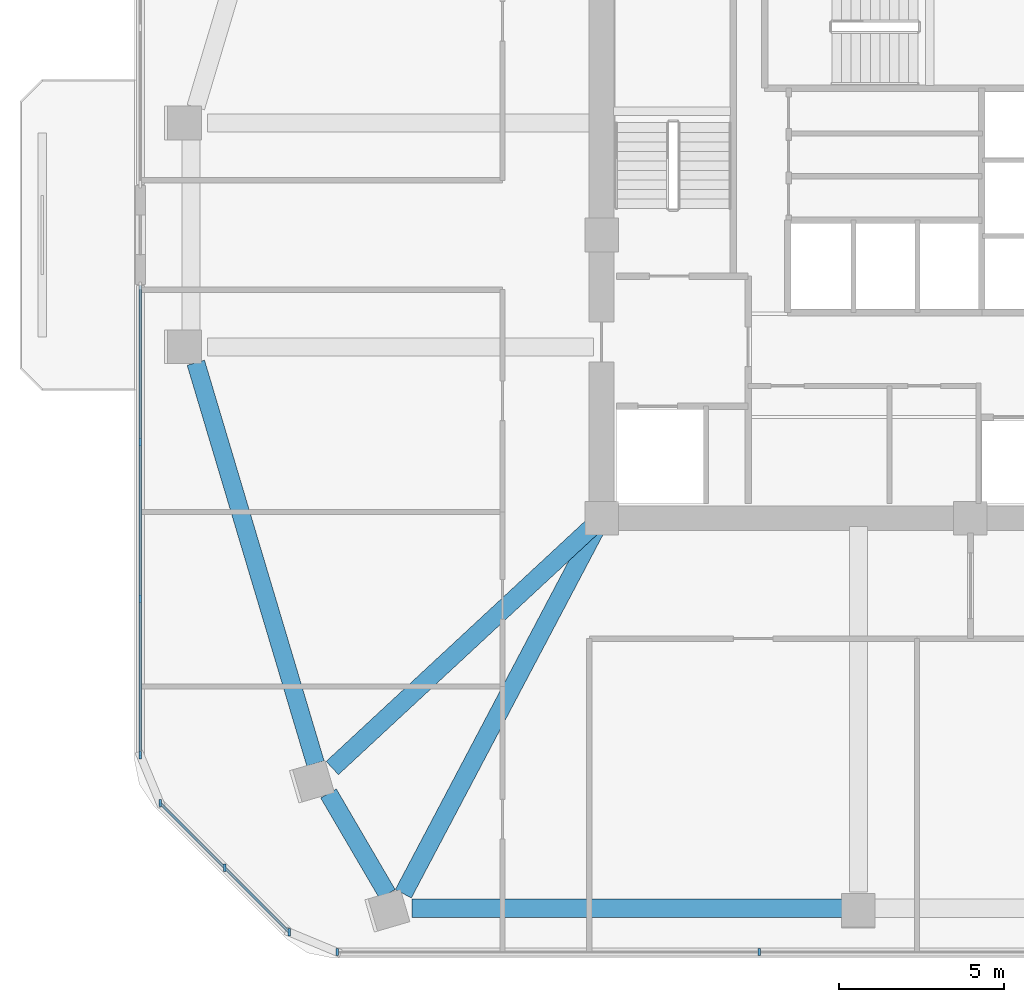
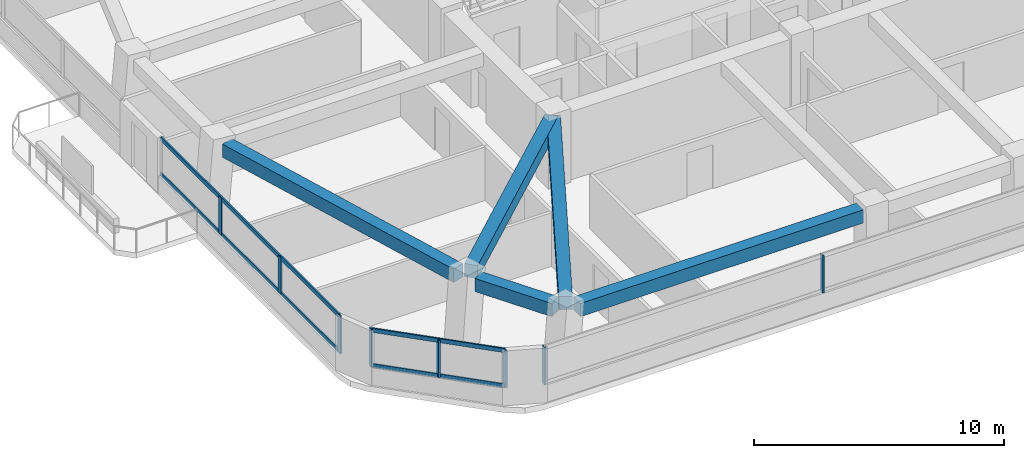
# One storey, part 2 of 14: 12 members, 5 beams, 3 elements without a shape of their own.
"""IFC4 building model written with IfcOpenShell, lengths in metres."""

from ifc_helpers import new_model, si_unit, derived_unit, direction, frame, origin, origin_2d, place, context, subcontext, project, spatial, rectangle, extrude, material, material_profile, profile_set, type_object, element, aggregate, save


model = new_model("IFC4")

# Units and contexts
model_context = context("Model", 3, precision=1e-05, world=origin(), true_north=direction((0.0, 1.0)))
body_context = subcontext(model_context, "Body", "Model", "MODEL_VIEW")
ifc_project = project(units=[si_unit("LENGTHUNIT", "METRE"), si_unit("AREAUNIT", "SQUARE_METRE"), si_unit("VOLUMEUNIT", "CUBIC_METRE"), si_unit("PLANEANGLEUNIT", "RADIAN"), si_unit("MASSUNIT", "GRAM", prefix="KILO"), derived_unit("THERMALTRANSMITTANCEUNIT", [(si_unit("POWERUNIT", "WATT"), 1), (si_unit("LENGTHUNIT", "METRE"), -2), (si_unit("THERMODYNAMICTEMPERATUREUNIT", "KELVIN"), -1)])], contexts=[model_context])

# Site, building, storey
site_placement = place(None, origin())
site = spatial("IfcSite", under=ifc_project, at=site_placement, CompositionType="ELEMENT")
building_placement = place(site_placement, origin())
building = spatial("IfcBuilding", under=site, at=building_placement, Name="Koralith Skygarden Medical Center", CompositionType="ELEMENT")
storey_placement = place(building_placement, frame((0.0, 0.0, 106.3798828125)))
storey = spatial("IfcBuildingStorey", under=building, at=storey_placement, Name="L27", CompositionType="ELEMENT", Elevation=106.3798828125)

# Curtain wall, members
ifc_material_1 = material(Name="Clear Laminated Glass", Category="glass")
curtain_wall_type = type_object("IfcCurtainWallType", Name="CW-3 Zone 2 Faceted Solar Curtain Wall", PredefinedType="NOTDEFINED", material=ifc_material_1)
curtain_wall_1_placement = place(storey_placement, origin())
curtain_wall_1 = element("IfcCurtainWall", 1, at=curtain_wall_1_placement, inside=storey, type_object=curtain_wall_type, Name="Curtain Wall CW-L27-S", PredefinedType="NOTDEFINED")
ifc_material_2 = material(Name="Aluminium 6063-T6", Category="aluminium")
ifc_material_profile_1 = material_profile(ifc_material_2, rectangle(XDim=0.073974609375, YDim=0.219970703125, at=origin_2d()), Name="MUL74X220")
ifc_profile_set_1 = profile_set([ifc_material_profile_1], Name="Aluminium 6063-T6")
member_type_1 = type_object("IfcMemberType", Name="CW-3 Extruded Mullion 74x220", PredefinedType="MULLION", material=ifc_profile_set_1)
member_1_placement = place(storey_placement, frame((17.76708984375, 4.1220703125, 0.85009765625), z_axis=(0.0, 0.0, 1.0), x_axis=(1.0, 0.0, 0.0)))
member_1 = element("IfcMember", 2, at=member_1_placement, type_object=member_type_1, Name="CW-L27-S Mullion 1", PredefinedType="MULLION", context=body_context, shape_type="SweptSolid", body=[
    extrude(rectangle(XDim=0.073974609375, YDim=0.219970703125, at=origin_2d()), origin(), (0.0, 0.0, 1.0), 1.820068359375),
])
member_2_placement = place(storey_placement, frame((30.589111328125, 4.1220703125, 0.85009765625), z_axis=(0.0, 0.0, 1.0), x_axis=(1.0, 0.0, 0.0)))
member_2 = element("IfcMember", 3, at=member_2_placement, type_object=member_type_1, Name="CW-L27-S Mullion 2", PredefinedType="MULLION", context=body_context, shape_type="SweptSolid", body=[
    extrude(rectangle(XDim=0.073974609375, YDim=0.219970703125, at=origin_2d()), origin(), (0.0, 0.0, 1.0), 1.820068359375),
])
aggregate(curtain_wall_1, [member_1, member_2])

curtain_wall_2_placement = place(storey_placement, origin())
curtain_wall_2 = element("IfcCurtainWall", 4, at=curtain_wall_2_placement, inside=storey, type_object=curtain_wall_type, Name="Curtain Wall CW-L27-W-R", PredefinedType="NOTDEFINED")
member_3_placement = place(storey_placement, frame((11.791015625, 19.60595703125, 0.85009765625), z_axis=(0.0, 0.0, 1.0), x_axis=(1.0, 0.0, 0.0)))
member_3 = element("IfcMember", 5, at=member_3_placement, type_object=member_type_1, Name="CW-L27-W-R Mullion 2", PredefinedType="MULLION", context=body_context, shape_type="SweptSolid", body=[
    extrude(rectangle(XDim=0.073974609375, YDim=0.219970703125, at=origin_2d()), origin(), (0.0, 0.0, 1.0), 1.820068359375),
])
member_4_placement = place(storey_placement, frame((11.791015625, 14.85205078125, 0.85009765625), z_axis=(0.0, 0.0, 1.0), x_axis=(1.0, 0.0, 0.0)))
member_4 = element("IfcMember", 6, at=member_4_placement, type_object=member_type_1, Name="CW-L27-W-R Mullion 3", PredefinedType="MULLION", context=body_context, shape_type="SweptSolid", body=[
    extrude(rectangle(XDim=0.073974609375, YDim=0.219970703125, at=origin_2d()), origin(), (0.0, 0.0, 1.0), 1.820068359375),
])
member_5_placement = place(storey_placement, frame((11.791015625, 10.097900390625, 0.85009765625), z_axis=(0.0, 0.0, 1.0), x_axis=(1.0, 0.0, 0.0)))
member_5 = element("IfcMember", 7, at=member_5_placement, type_object=member_type_1, Name="CW-L27-W-R Mullion 4", PredefinedType="MULLION", context=body_context, shape_type="SweptSolid", body=[
    extrude(rectangle(XDim=0.073974609375, YDim=0.219970703125, at=origin_2d()), origin(), (0.0, 0.0, 1.0), 1.820068359375),
])

curtain_wall_3_placement = place(storey_placement, origin())
curtain_wall_3 = element("IfcCurtainWall", 8, at=curtain_wall_3_placement, inside=storey, type_object=curtain_wall_type, Name="Curtain Wall CW-L27-SW", PredefinedType="NOTDEFINED")
member_6_placement = place(storey_placement, frame((12.39306640625, 8.64697265625, 0.85009765625), z_axis=(0.0, 0.0, 1.0), x_axis=(1.0, 0.0, 0.0)))
member_6 = element("IfcMember", 9, at=member_6_placement, type_object=member_type_1, Name="CW-L27-SW Mullion 1", PredefinedType="MULLION", context=body_context, shape_type="SweptSolid", body=[
    extrude(rectangle(XDim=0.073974609375, YDim=0.219970703125, at=origin_2d()), origin(), (0.0, 0.0, 1.0), 1.820068359375),
])
member_7_placement = place(storey_placement, frame((14.35400390625, 6.68603515625, 0.85009765625), z_axis=(0.0, 0.0, 1.0), x_axis=(1.0, 0.0, 0.0)))
member_7 = element("IfcMember", 10, at=member_7_placement, type_object=member_type_1, Name="CW-L27-SW Mullion 2", PredefinedType="MULLION", context=body_context, shape_type="SweptSolid", body=[
    extrude(rectangle(XDim=0.073974609375, YDim=0.219970703125, at=origin_2d()), origin(), (0.0, 0.0, 1.0), 1.820068359375),
])
member_8_placement = place(storey_placement, frame((16.31591796875, 4.72412109375, 0.85009765625), z_axis=(0.0, 0.0, 1.0), x_axis=(1.0, 0.0, 0.0)))
member_8 = element("IfcMember", 11, at=member_8_placement, type_object=member_type_1, Name="CW-L27-SW Mullion 3", PredefinedType="MULLION", context=body_context, shape_type="SweptSolid", body=[
    extrude(rectangle(XDim=0.073974609375, YDim=0.219970703125, at=origin_2d()), origin(), (0.0, 0.0, 1.0), 1.820068359375),
])

# Member
ifc_material_profile_2 = material_profile(ifc_material_2, rectangle(XDim=0.069091796875, YDim=0.197998046875, at=origin_2d()), Name="TRN69X198")
ifc_profile_set_2 = profile_set([ifc_material_profile_2], Name="Aluminium 6063-T6")
member_type_2 = type_object("IfcMemberType", Name="CW-3 Thermal Transom 69x198", PredefinedType="USERDEFINED", material=ifc_profile_set_2)
member_9_placement = place(storey_placement, frame((11.791015625, 24.360107421875, 0.900146484375), z_axis=(0.0, -1.0, 0.0), x_axis=(1.0, 0.0, 0.0)))
member_9 = element("IfcMember", 12, at=member_9_placement, type_object=member_type_2, Name="CW-L27-W-R Transom 1", ObjectType="TRANSOM", PredefinedType="USERDEFINED", context=body_context, shape_type="SweptSolid", body=[
    extrude(rectangle(XDim=0.069091796875, YDim=0.197998046875, at=origin_2d()), origin(), (0.0, 0.0, 1.0), 14.26220703125),
])

member_10_placement = place(storey_placement, frame((11.791015625, 24.360107421875, 2.6201171875), z_axis=(0.0, -1.0, 0.0), x_axis=(1.0, 0.0, 0.0)))
member_10 = element("IfcMember", 13, at=member_10_placement, type_object=member_type_2, Name="CW-L27-W-R Transom 2", ObjectType="TRANSOM", PredefinedType="USERDEFINED", context=body_context, shape_type="SweptSolid", body=[
    extrude(rectangle(XDim=0.069091796875, YDim=0.197998046875, at=origin_2d()), origin(), (0.0, 0.0, 1.0), 14.26220703125),
])

aggregate(curtain_wall_2, [member_3, member_4, member_5, member_9, member_10])

member_11_placement = place(storey_placement, frame((12.39306640625, 8.64697265625, 0.900146484375), z_axis=(0.707106781187, -0.707106781187, 0.0), x_axis=(0.707106781187, 0.707106781187, 0.0)))
member_11 = element("IfcMember", 14, at=member_11_placement, type_object=member_type_2, Name="CW-L27-SW Transom 1", ObjectType="TRANSOM", PredefinedType="USERDEFINED", context=body_context, shape_type="SweptSolid", body=[
    extrude(rectangle(XDim=0.069091796875, YDim=0.197998046875, at=origin_2d()), origin(), (0.0, 0.0, 1.0), 5.5478515625),
])

member_12_placement = place(storey_placement, frame((12.39306640625, 8.64697265625, 2.6201171875), z_axis=(0.707106781187, -0.707106781187, 0.0), x_axis=(0.707106781187, 0.707106781187, 0.0)))
member_12 = element("IfcMember", 15, at=member_12_placement, type_object=member_type_2, Name="CW-L27-SW Transom 2", ObjectType="TRANSOM", PredefinedType="USERDEFINED", context=body_context, shape_type="SweptSolid", body=[
    extrude(rectangle(XDim=0.069091796875, YDim=0.197998046875, at=origin_2d()), origin(), (0.0, 0.0, 1.0), 5.5478515625),
])

aggregate(curtain_wall_3, [member_6, member_7, member_8, member_11, member_12])

# Beams
ifc_material_3 = material(Name="Concrete C45/55", Category="concrete")
ifc_material_profile_3 = material_profile(ifc_material_3, rectangle(XDim=0.550048828125, YDim=0.639892578125, at=origin_2d()), Name="RCB550X640")
ifc_profile_set_3 = profile_set([ifc_material_profile_3], Name="Concrete C45/55")
beam_type_1 = type_object("IfcBeamType", Name="Radial Collector Beam RCB550X640", PredefinedType="BEAM", material=ifc_profile_set_3)
beam_1_placement = place(storey_placement, frame((25.616943359375, 17.1298828125, 3.0), z_axis=(-0.733057307638, -0.680166879316, 0.0), x_axis=(0.680166879316, -0.733057307638, 0.0)))
element("IfcBeam", 16, at=beam_1_placement, inside=storey, type_object=beam_type_1, Name="L27 Radial Collector Beam RB-02", PredefinedType="BEAM", context=body_context, shape_type="SweptSolid", body=[
    extrude(rectangle(XDim=0.550048828125, YDim=0.639892578125, at=origin_2d()), origin(), (0.0, 0.0, 1.0), 10.907470703125),
])
beam_2_placement = place(storey_placement, frame((25.68310546875, 17.0791015625, 3.0), z_axis=(-0.466777909701, -0.884374571669, 0.0), x_axis=(0.884374571669, -0.466777909701, 0.0)))
element("IfcBeam", 17, at=beam_2_placement, inside=storey, type_object=beam_type_1, Name="L27 Radial Collector Beam RB-03", PredefinedType="BEAM", context=body_context, shape_type="SweptSolid", body=[
    extrude(rectangle(XDim=0.550048828125, YDim=0.639892578125, at=origin_2d()), origin(), (0.0, 0.0, 1.0), 12.6484375),
])
ifc_material_profile_4 = material_profile(ifc_material_3, rectangle(XDim=0.550048828125, YDim=0.639892578125, at=origin_2d()), Name="RCB550X640")
ifc_profile_set_4 = profile_set([ifc_material_profile_4], Name="Concrete C45/55")
beam_type_2 = type_object("IfcBeamType", Name="Zone 2-3 Spandrel Beam RCB550X640", PredefinedType="SPANDREL", material=ifc_profile_set_4)
beam_3_placement = place(storey_placement, frame((13.47705078125, 22.02099609375, 3.0), z_axis=(0.286102694558, -0.958198960638, 0.0), x_axis=(0.958198960638, 0.286102694558, 0.0)))
element("IfcBeam", 18, at=beam_3_placement, inside=storey, type_object=beam_type_2, Name="L27 Perimeter Spandrel Beam SP-01", PredefinedType="SPANDREL", context=body_context, shape_type="SweptSolid", body=[
    extrude(rectangle(XDim=0.550048828125, YDim=0.639892578125, at=origin_2d()), origin(), (0.0, 0.0, 1.0), 12.701904296875),
])
beam_4_placement = place(storey_placement, frame((17.506103515625, 8.93896484375, 3.0), z_axis=(0.504972499237, -0.863135432603, 0.0), x_axis=(0.863135432603, 0.504972499237, 0.0)))
element("IfcBeam", 19, at=beam_4_placement, inside=storey, type_object=beam_type_2, Name="L27 Perimeter Spandrel Beam SP-02", PredefinedType="SPANDREL", context=body_context, shape_type="SweptSolid", body=[
    extrude(rectangle(XDim=0.550048828125, YDim=0.639892578125, at=origin_2d()), origin(), (0.0, 0.0, 1.0), 3.54052734375),
])
beam_5_placement = place(storey_placement, frame((20.0458984375, 5.450927734375, 3.0), z_axis=(1.0, 0.0, 0.0), x_axis=(0.0, 1.0, 0.0)))
element("IfcBeam", 20, at=beam_5_placement, inside=storey, type_object=beam_type_2, Name="L27 Perimeter Spandrel Beam SP-03", PredefinedType="SPANDREL", context=body_context, shape_type="SweptSolid", body=[
    extrude(rectangle(XDim=0.550048828125, YDim=0.639892578125, at=origin_2d()), origin(), (0.0, 0.0, 1.0), 13.05419921875),
])

save(model, "model.ifc")
